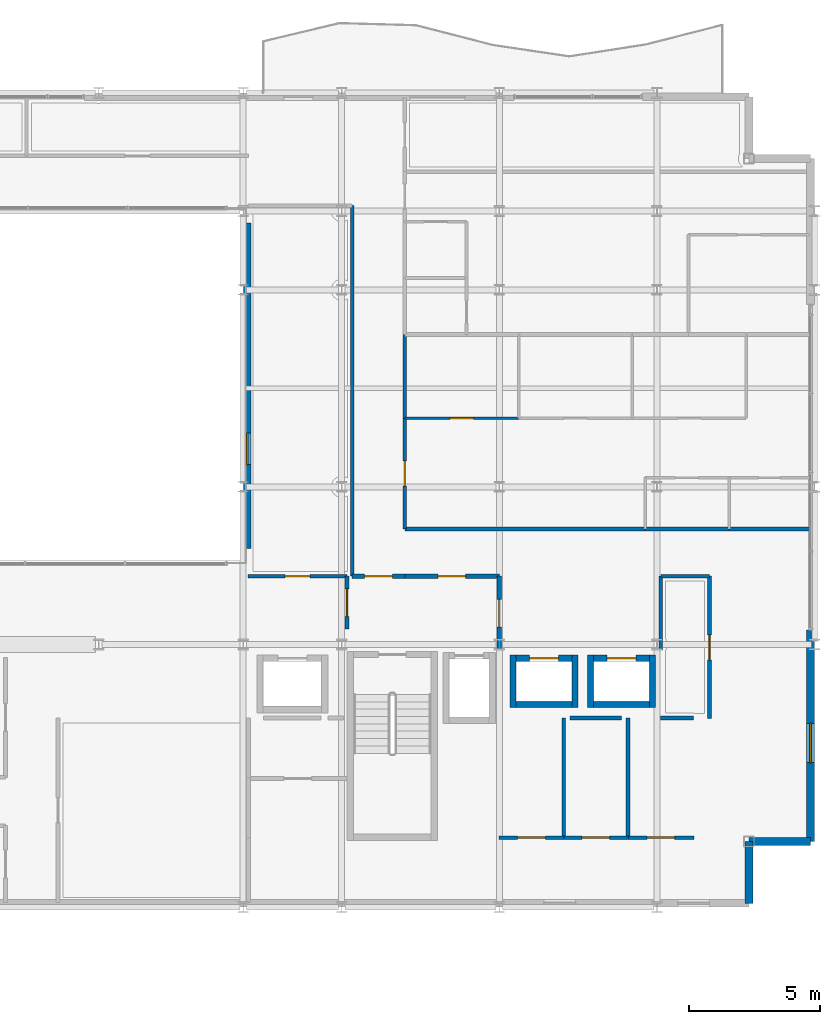
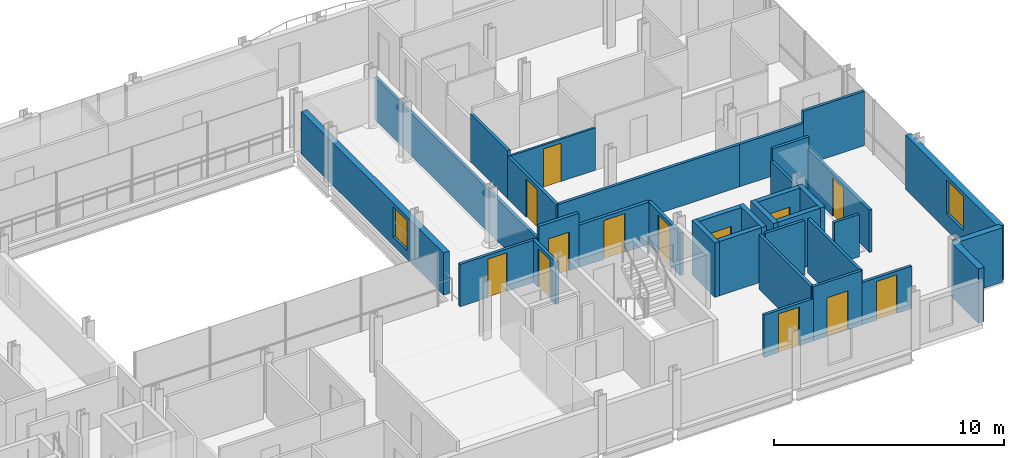
# One storey, part 36 of 41: 34 walls, 13 doors, 2 windows, 15 openings.
"""IFC4 building model written with IfcOpenShell, lengths in metres."""

import ifcopenshell
import ifcopenshell.guid

model = None  # the IFC model being written
_history = None  # IfcOwnerHistory: only IFC2X3 demands one
_inside = {}  # id of a spatial element -> (the spatial element, [elements in it])
_under = {}  # id of a project, library or spatial element -> (it, [spatial elements below it])
_declared = {}  # id of a project -> (the project, [libraries it declares])
_typed = {}  # id of a type object -> (the type object, [elements of that type])
_made_of = {}  # id of a material, layer set ... -> (it, [elements and type objects made of it])


def new_model(schema):
    """Start an empty IFC model of exactly this schema.

    Asked for "IFC4X3", IfcOpenShell would pick the latest addendum, in which some entities
    have other attributes; the version numbers below select the first issue.
    IFC2X3 requires an IfcOwnerHistory on every rooted entity: one is made here for all.
    """
    global model, _history
    if schema == "IFC4X3":
        model = ifcopenshell.file(schema_version=(4, 3, 0, 0))
    else:
        model = ifcopenshell.file(schema=schema)
    _inside.clear()
    _under.clear()
    _declared.clear()
    _typed.clear()
    _made_of.clear()
    _history = None
    if model.schema == "IFC2X3":
        org = make("IfcOrganization", Name="unknown")
        user = make(
            "IfcPersonAndOrganization",
            ThePerson=make("IfcPerson", FamilyName="unknown"),
            TheOrganization=org,
        )
        app = make(
            "IfcApplication",
            ApplicationDeveloper=org,
            Version="unknown",
            ApplicationFullName="unknown",
            ApplicationIdentifier="unknown",
        )
        _history = make(
            "IfcOwnerHistory",
            OwningUser=user,
            OwningApplication=app,
            ChangeAction="ADDED",
            CreationDate=0,
        )
    return model


def make(cls, **values):
    """One entity of the class cls with the attributes given. An attribute that is None is left unset."""
    return model.create_entity(
        cls, **{name: value for name, value in values.items() if value is not None}
    )


def rooted(cls, **values):
    """An entity with a GlobalId (a new one), such as an element, a storey or a relation."""
    return make(cls, GlobalId=ifcopenshell.guid.new(), OwnerHistory=_history, **values)


def si_unit(unit_type, name, prefix=None):
    """IfcSIUnit, for example si_unit("LENGTHUNIT", "METRE", prefix="MILLI")."""
    return make("IfcSIUnit", UnitType=unit_type, Prefix=prefix, Name=name)


def assignment(units):
    """IfcUnitAssignment: the units of a project."""
    return None if units is None else make("IfcUnitAssignment", Units=units)


def point(xyz):
    """IfcCartesianPoint."""
    return None if xyz is None else make("IfcCartesianPoint", Coordinates=xyz)


def direction(xyz):
    """IfcDirection."""
    return None if xyz is None else make("IfcDirection", DirectionRatios=xyz)


def frame(location, z_axis=None, x_axis=None):
    """IfcAxis2Placement3D, a coordinate frame: its origin and axes. An axis left out is left unset."""
    return make(
        "IfcAxis2Placement3D",
        Location=point(location),
        Axis=direction(z_axis),
        RefDirection=direction(x_axis),
    )


def frame_2d(location, x_axis=None):
    """IfcAxis2Placement2D, a coordinate frame in the plane: its origin and x axis."""
    return make(
        "IfcAxis2Placement2D", Location=point(location), RefDirection=direction(x_axis)
    )


def origin():
    """The frame at (0, 0, 0) with its axes left unset."""
    return frame((0.0, 0.0, 0.0))


def place(relative_to, where):
    """IfcLocalPlacement: puts the frame where relative to a parent placement (None: the world)."""
    return make(
        "IfcLocalPlacement", PlacementRelTo=relative_to, RelativePlacement=where
    )


def context(
    kind, dimensions, precision=None, world=None, true_north=None, identifier=None
):
    """IfcGeometricRepresentationContext, for example the 3D "Model" context."""
    return make(
        "IfcGeometricRepresentationContext",
        ContextIdentifier=identifier,
        ContextType=kind,
        CoordinateSpaceDimension=dimensions,
        Precision=precision,
        WorldCoordinateSystem=world,
        TrueNorth=true_north,
    )


def subcontext(parent, identifier, kind, view, scale=None):
    """IfcGeometricRepresentationSubContext, for example "Body" below "Model"."""
    return make(
        "IfcGeometricRepresentationSubContext",
        ContextIdentifier=identifier,
        ContextType=kind,
        ParentContext=parent,
        TargetScale=scale,
        TargetView=view,
    )


def project(units=None, contexts=None):
    """IfcProject with its units and contexts."""
    return rooted(
        "IfcProject",
        Name="project",
        RepresentationContexts=contexts,
        UnitsInContext=assignment(units),
    )


def spatial(cls, under=None, at=None, **own):
    """A site, building, storey or space (cls), placed at a placement, below another one or the project."""
    s = rooted(cls, ObjectPlacement=at, **own)
    if under is not None:
        _under.setdefault(under.id(), (under, []))[1].append(s)
    return s


def profile(cls, at=None, kind="AREA", **sizes):
    """A parametric profile (cls). Its sizes go by their IFC names, for example OverallWidth=200.0."""
    return make(cls, ProfileType=kind, Position=at, **sizes)


def rectangle(**sizes):
    """IfcRectangleProfileDef."""
    return profile("IfcRectangleProfileDef", **sizes)


def extrude(swept, where, along, depth):
    """IfcExtrudedAreaSolid: the profile swept, set in the frame where, extruded along a direction by depth."""
    return make(
        "IfcExtrudedAreaSolid",
        SweptArea=swept,
        Position=where,
        ExtrudedDirection=direction(along),
        Depth=depth,
    )


def shape(context_of_items, identifier, shape_type, items):
    """IfcShapeRepresentation: the items that make up one representation, for example the "Body"."""
    return make(
        "IfcShapeRepresentation",
        ContextOfItems=context_of_items,
        RepresentationIdentifier=identifier,
        RepresentationType=shape_type,
        Items=items,
    )


def material(Name=None, Category=None):
    """IfcMaterial."""
    return make("IfcMaterial", Name=Name, Category=Category)


def layer(
    of_material, thickness, ventilated=None, Name=None, Category=None, Priority=None
):
    """IfcMaterialLayer: one layer of a wall or slab, of a material (None: an air gap)."""
    return make(
        "IfcMaterialLayer",
        Material=of_material,
        LayerThickness=thickness,
        IsVentilated=ventilated,
        Name=Name,
        Category=Category,
        Priority=Priority,
    )


def layer_set(layers, Name=None):
    """IfcMaterialLayerSet."""
    return make("IfcMaterialLayerSet", MaterialLayers=layers, LayerSetName=Name)


def made_of(thing, what):
    """Note that an element or type object is made of a material, layer set ...; save() writes the relation."""
    if what is not None:
        _made_of.setdefault(what.id(), (what, []))[1].append(thing)
    return thing


def type_object(cls, material=None, **own):
    """A type object (cls), such as IfcWallType, which elements share."""
    return made_of(rooted(cls, **own), material)


def element(
    cls,
    number,
    at=None,
    inside=None,
    cuts=None,
    type_object=None,
    material=None,
    context=None,
    identifier="Body",
    shape_type=None,
    held_by="IfcProductDefinitionShape",
    body=None,
    shapes=None,
    **own,
):
    """One element of the class cls, such as IfcWall. Its Tag is "e" and its number.

    at: its placement. inside: the storey or other place that contains it. cuts: it is an
    opening in that element (IfcRelVoidsElement). A single representation is given by context,
    identifier, shape_type and body (its items); several are given by shapes. held_by: the class
    of the entity that holds the representations. save() writes the other relations.
    """
    e = rooted(cls, Tag="e%d" % number, ObjectPlacement=at, **own)
    if body is not None:
        shapes = [shape(context, identifier, shape_type, body)]
    if shapes is not None:
        e.Representation = make(held_by, Representations=shapes)
    if inside is not None:
        _inside.setdefault(inside.id(), (inside, []))[1].append(e)
    if cuts is not None:
        rooted(
            "IfcRelVoidsElement", RelatingBuildingElement=cuts, RelatedOpeningElement=e
        )
    if type_object is not None:
        _typed.setdefault(type_object.id(), (type_object, []))[1].append(e)
    return made_of(e, material)


def fill(opening, filler):
    """IfcRelFillsElement: the door or window that sits in an opening."""
    return rooted(
        "IfcRelFillsElement",
        RelatingOpeningElement=opening,
        RelatedBuildingElement=filler,
    )


def aggregate(whole, parts):
    """IfcRelAggregates: a whole, such as a stair, and the parts it consists of."""
    return rooted("IfcRelAggregates", RelatingObject=whole, RelatedObjects=parts)


def save(model, path):
    """Write the relations noted so far, then the file.

    IfcRelAggregates (storeys below a building ...), IfcRelContainedInSpatialStructure (elements
    in a storey), IfcRelDefinesByType, IfcRelAssociatesMaterial and IfcRelDeclares: one each for
    every whole, place, type object, material and project.
    """
    for whole, parts in _under.values():
        aggregate(whole, parts)
    for where, things in _inside.values():
        rooted(
            "IfcRelContainedInSpatialStructure",
            RelatedElements=things,
            RelatingStructure=where,
        )
    for kind, things in _typed.values():
        rooted("IfcRelDefinesByType", RelatedObjects=things, RelatingType=kind)
    for what, things in _made_of.values():
        rooted("IfcRelAssociatesMaterial", RelatedObjects=things, RelatingMaterial=what)
    for by, libraries in _declared.values():
        rooted("IfcRelDeclares", RelatingContext=by, RelatedDefinitions=libraries)
    model.write(path)


model = new_model("IFC4")

# Units and contexts
model_context = context("Model", 3, precision=1e-05, world=origin(), true_north=direction((0.0, 1.0)))
body_context = subcontext(model_context, "Body", "Model", "MODEL_VIEW")
ifc_project = project(units=[si_unit("LENGTHUNIT", "METRE"), si_unit("AREAUNIT", "SQUARE_METRE"), si_unit("VOLUMEUNIT", "CUBIC_METRE"), si_unit("PLANEANGLEUNIT", "RADIAN"), si_unit("MASSUNIT", "GRAM", prefix="KILO")], contexts=[model_context])

# Site, building, storey
site_placement = place(None, origin())
site = spatial("IfcSite", under=ifc_project, at=site_placement, CompositionType="ELEMENT")
building_placement = place(site_placement, origin())
building = spatial("IfcBuilding", under=site, at=building_placement, Name="Brevholm Reach", CompositionType="ELEMENT")
storey_placement = place(building_placement, frame((0.0, 0.0, 169.699951171875)))
storey = spatial("IfcBuildingStorey", under=building, at=storey_placement, Name="L51", CompositionType="ELEMENT", Elevation=169.699951171875)

# Walls
ifc_material_1 = material(Name="Concrete C45/55", Category="concrete")
ifc_layer_1 = layer(ifc_material_1, 0.239990234375)
ifc_layer_set_1 = layer_set([ifc_layer_1], Name="Concrete C45/55")
wall_type_1 = type_object("IfcWallType", Name="WAL-COR-240", PredefinedType="SHEAR", material=ifc_layer_set_1)
for number, where, z_axis, x_axis, name in (
    (1, (48.52001953125, 7.60009765625, 0.0), (0.0, 0.0, 1.0), (0.0, 1.0, 0.0), "L51 Lift PL-H1 Shaft Wall W"),
    (2, (50.8798828125, 7.60009765625, 0.0), (0.0, 0.0, 1.0), (0.0, 1.0, 0.0), "L51 Lift PL-H1 Shaft Wall E"),
):
    element("IfcWall", number, at=place(storey_placement, frame(where, z_axis=z_axis, x_axis=x_axis)), inside=storey, type_object=wall_type_1, Name=name, PredefinedType="SHEAR", context=body_context, shape_type="SweptSolid", body=[
        extrude(rectangle(XDim=2.0, YDim=0.239990234375, at=frame_2d((1.0, 0.0))), origin(), (0.0, 0.0, 1.0), 2.89013671875),
    ])
wall_1_placement = place(storey_placement, frame((48.639892578125, 7.719970703125, 0.0), z_axis=(0.0, 0.0, 1.0), x_axis=(1.0, 0.0, 0.0)))
element("IfcWall", 3, at=wall_1_placement, inside=storey, type_object=wall_type_1, Name="L51 Lift PL-H1 Shaft Wall S", PredefinedType="SHEAR", context=body_context, shape_type="SweptSolid", body=[
    extrude(rectangle(XDim=2.1201171875, YDim=0.239990234375, at=frame_2d((1.06005859375, 0.0))), origin(), (0.0, 0.0, 1.0), 2.89013671875),
])

# Wall, opening, door
wall_2_placement = place(storey_placement, frame((48.639892578125, 9.47998046875, 0.0), z_axis=(0.0, 0.0, 1.0), x_axis=(1.0, 0.0, 0.0)))
wall_2 = element("IfcWall", 4, at=wall_2_placement, inside=storey, type_object=wall_type_1, Name="L51 Lift PL-H1 Shaft Wall N", PredefinedType="SHEAR", context=body_context, shape_type="SweptSolid", body=[
    extrude(rectangle(XDim=2.1201171875, YDim=0.239990234375, at=frame_2d((1.06005859375, 0.0))), origin(), (0.0, 0.0, 1.0), 2.89013671875),
])
opening_1_placement = place(wall_2_placement, frame((0.510009765625, 0.0, 0.0)))
opening_1 = element("IfcOpeningElement", 5, at=opening_1_placement, cuts=wall_2, Name="Opening LD-PL-H1", PredefinedType="OPENING", context=body_context, shape_type="SweptSolid", body=[
    extrude(rectangle(XDim=1.10009765625, YDim=2.06005859375, at=frame_2d((0.550048828125, 1.030029296875))), frame((0.0, 0.1298828125, 0.0), z_axis=(0.0, -1.0, 0.0), x_axis=(1.0, 0.0, 0.0)), (0.0, 0.0, 1.0), 0.260009765625),
])
ifc_material_2 = material(Name="Brushed Stainless Steel Fire-Rated Sliding Lift Door", Category="steel")
door_type_1 = type_object("IfcDoorType", Name="DOR-LFT-1100", OperationType="NOTDEFINED", PredefinedType="DOOR", material=ifc_material_2)
door_1_placement = place(opening_1_placement, origin())
door_1 = element("IfcDoor", 6, at=door_1_placement, inside=storey, type_object=door_type_1, Name="L51 Lift PL-H1 Sliding Landing Door", OperationType="SLIDING_TO_RIGHT", OverallHeight=2.06005859375, OverallWidth=1.10009765625, PredefinedType="DOOR", context=body_context, shape_type="SweptSolid", body=[
    extrude(rectangle(XDim=1.10009765625, YDim=2.06005859375, at=frame_2d((0.550048828125, 1.030029296875))), frame((0.0, 0.02490234375, 0.0), z_axis=(0.0, -1.0, 0.0), x_axis=(1.0, 0.0, 0.0)), (0.0, 0.0, 1.0), 0.050048828125),
])
fill(opening_1, door_1)

# Walls
for number, where, z_axis, x_axis, name in (
    (7, (51.469970703125, 7.60009765625, 0.0), (0.0, 0.0, 1.0), (0.0, 1.0, 0.0), "L51 Lift PL-H2 Shaft Wall W"),
    (8, (53.830078125, 7.60009765625, 0.0), (0.0, 0.0, 1.0), (0.0, 1.0, 0.0), "L51 Lift PL-H2 Shaft Wall E"),
):
    element("IfcWall", number, at=place(storey_placement, frame(where, z_axis=z_axis, x_axis=x_axis)), inside=storey, type_object=wall_type_1, Name=name, PredefinedType="SHEAR", context=body_context, shape_type="SweptSolid", body=[
        extrude(rectangle(XDim=2.0, YDim=0.239990234375, at=frame_2d((1.0, 0.0))), origin(), (0.0, 0.0, 1.0), 2.89013671875),
    ])
wall_3_placement = place(storey_placement, frame((51.590087890625, 7.719970703125, 0.0), z_axis=(0.0, 0.0, 1.0), x_axis=(1.0, 0.0, 0.0)))
element("IfcWall", 9, at=wall_3_placement, inside=storey, type_object=wall_type_1, Name="L51 Lift PL-H2 Shaft Wall S", PredefinedType="SHEAR", context=body_context, shape_type="SweptSolid", body=[
    extrude(rectangle(XDim=2.119873046875, YDim=0.239990234375, at=frame_2d((1.06005859375, 0.0))), origin(), (0.0, 0.0, 1.0), 2.89013671875),
])

# Wall, opening, door
wall_4_placement = place(storey_placement, frame((51.590087890625, 9.47998046875, 0.0), z_axis=(0.0, 0.0, 1.0), x_axis=(1.0, 0.0, 0.0)))
wall_4 = element("IfcWall", 10, at=wall_4_placement, inside=storey, type_object=wall_type_1, Name="L51 Lift PL-H2 Shaft Wall N", PredefinedType="SHEAR", context=body_context, shape_type="SweptSolid", body=[
    extrude(rectangle(XDim=2.119873046875, YDim=0.239990234375, at=frame_2d((1.06005859375, 0.0))), origin(), (0.0, 0.0, 1.0), 2.89013671875),
])
opening_2_placement = place(wall_4_placement, frame((0.510009765625, 0.0, 0.0)))
opening_2 = element("IfcOpeningElement", 11, at=opening_2_placement, cuts=wall_4, Name="Opening LD-PL-H2", PredefinedType="OPENING", context=body_context, shape_type="SweptSolid", body=[
    extrude(rectangle(XDim=1.10009765625, YDim=2.06005859375, at=frame_2d((0.550048828125, 1.030029296875))), frame((0.0, 0.1298828125, 0.0), z_axis=(0.0, -1.0, 0.0), x_axis=(1.0, 0.0, 0.0)), (0.0, 0.0, 1.0), 0.260009765625),
])
door_2_placement = place(opening_2_placement, origin())
door_2 = element("IfcDoor", 12, at=door_2_placement, inside=storey, type_object=door_type_1, Name="L51 Lift PL-H2 Sliding Landing Door", OperationType="SLIDING_TO_LEFT", OverallHeight=2.06005859375, OverallWidth=1.10009765625, PredefinedType="DOOR", context=body_context, shape_type="SweptSolid", body=[
    extrude(rectangle(XDim=1.10009765625, YDim=2.06005859375, at=frame_2d((0.550048828125, 1.030029296875))), frame((0.0, 0.02490234375, 0.0), z_axis=(0.0, -1.0, 0.0), x_axis=(1.0, 0.0, 0.0)), (0.0, 0.0, 1.0), 0.050048828125),
])
fill(opening_2, door_2)

# Walls
ifc_material_3 = material(Name="Concrete C40/50", Category="concrete")
ifc_layer_2 = layer(ifc_material_3, 0.300048828125)
ifc_layer_set_2 = layer_set([ifc_layer_2], Name="Concrete C40/50")
wall_type_2 = type_object("IfcWallType", Name="WAL-EXT-300", PredefinedType="STANDARD", material=ifc_layer_set_2)
for number, where, z_axis, x_axis, name in (
    (13, (57.5, 0.14990234375, 0.0), (0.0, 0.0, 1.0), (0.0, 1.0, 0.0), "L51 Facade Wall WAL-L51-CSE1"),
    (14, (57.5, 2.5, 0.0), (0.0, 0.0, 1.0), (1.0, 0.0, 0.0), "L51 Facade Wall WAL-L51-CSE2"),
):
    element("IfcWall", number, at=place(storey_placement, frame(where, z_axis=z_axis, x_axis=x_axis)), inside=storey, type_object=wall_type_2, Name=name, PredefinedType="STANDARD", context=body_context, shape_type="SweptSolid", body=[
        extrude(rectangle(XDim=2.35009765625, YDim=0.300048828125, at=frame_2d((1.175048828125, 0.0))), origin(), (0.0, 0.0, 1.0), 2.89013671875),
    ])

# Wall, opening, window
wall_5_placement = place(storey_placement, frame((59.85009765625, 2.5, 0.0), z_axis=(0.0, 0.0, 1.0), x_axis=(0.0, 1.0, 0.0)))
wall_5 = element("IfcWall", 15, at=wall_5_placement, inside=storey, type_object=wall_type_2, Name="L51 Facade Wall WAL-L51-E-S", PredefinedType="STANDARD", context=body_context, shape_type="SweptSolid", body=[
    extrude(rectangle(XDim=8.050048828125, YDim=0.300048828125, at=frame_2d((4.02490234375, 0.0))), origin(), (0.0, 0.0, 1.0), 2.89013671875),
])
opening_3_placement = place(wall_5_placement, frame((3.0, 0.0, 0.8701171875)))
opening_3 = element("IfcOpeningElement", 16, at=opening_3_placement, cuts=wall_5, Name="Opening WN-05", PredefinedType="OPENING", context=body_context, shape_type="SweptSolid", body=[
    extrude(rectangle(XDim=1.5, YDim=1.800048828125, at=frame_2d((0.75, 0.89990234375))), frame((0.0, 0.159912109375, 0.0), z_axis=(0.0, -1.0, 0.0), x_axis=(1.0, 0.0, 0.0)), (0.0, 0.0, 1.0), 0.320068359375),
])
ifc_material_4 = material(Name="Dark Anodised Aluminium and Solar-Control IGU Glass", Category="aluminium")
window_type_1 = type_object("IfcWindowType", Name="WIN-RES-1500", PartitioningType="SINGLE_PANEL", PredefinedType="WINDOW", material=ifc_material_4)
window_1_placement = place(opening_3_placement, origin())
window_1 = element("IfcWindow", 17, at=window_1_placement, inside=storey, type_object=window_type_1, Name="L51 Window WIN-L51-ES-1", OverallHeight=1.800048828125, OverallWidth=1.5, PartitioningType="SINGLE_PANEL", PredefinedType="WINDOW", context=body_context, shape_type="SweptSolid", body=[
    extrude(rectangle(XDim=1.5, YDim=1.800048828125, at=frame_2d((0.75, 0.89990234375))), frame((0.0, 0.030029296875, 0.0), z_axis=(0.0, -1.0, 0.0), x_axis=(1.0, 0.0, 0.0)), (0.0, 0.0, 1.0), 0.06005859375),
])
fill(opening_3, window_1)

wall_6_placement = place(storey_placement, frame((38.39990234375, 13.64990234375, 0.0), z_axis=(0.0, 0.0, 1.0), x_axis=(0.0, 1.0, 0.0)))
wall_6 = element("IfcWall", 18, at=wall_6_placement, inside=storey, type_object=wall_type_2, Name="L51 Facade Wall WAL-L51-AT-E", PredefinedType="STANDARD", context=body_context, shape_type="SweptSolid", body=[
    extrude(rectangle(XDim=12.400146484375, YDim=0.300048828125, at=frame_2d((6.2001953125, 0.0))), origin(), (0.0, 0.0, 1.0), 2.2529296875),
])
opening_4_placement = place(wall_6_placement, frame((3.199951171875, 0.0, 0.43310546875)))
opening_4 = element("IfcOpeningElement", 19, at=opening_4_placement, cuts=wall_6, Name="Opening WN-08", PredefinedType="OPENING", context=body_context, shape_type="SweptSolid", body=[
    extrude(rectangle(XDim=1.199951171875, YDim=1.60009765625, at=frame_2d((0.60009765625, 0.800048828125))), frame((0.0, 0.159912109375, 0.0), z_axis=(0.0, -1.0, 0.0), x_axis=(1.0, 0.0, 0.0)), (0.0, 0.0, 1.0), 0.320068359375),
])
ifc_material_5 = material(Name="Dark Anodised Aluminium and Solar-Control IGU Glass", Category="aluminium")
window_type_2 = type_object("IfcWindowType", Name="WIN-RES-1200", PartitioningType="SINGLE_PANEL", PredefinedType="WINDOW", material=ifc_material_5)
window_2_placement = place(opening_4_placement, origin())
window_2 = element("IfcWindow", 20, at=window_2_placement, inside=storey, type_object=window_type_2, Name="L51 Window WIN-L51-AT-E1", OverallHeight=1.60009765625, OverallWidth=1.199951171875, PartitioningType="SINGLE_PANEL", PredefinedType="WINDOW", context=body_context, shape_type="SweptSolid", body=[
    extrude(rectangle(XDim=1.199951171875, YDim=1.60009765625, at=frame_2d((0.60009765625, 0.800048828125))), frame((0.0, 0.030029296875, 0.0), z_axis=(0.0, -1.0, 0.0), x_axis=(1.0, 0.0, 0.0)), (0.0, 0.0, 1.0), 0.06005859375),
])
fill(opening_4, window_2)

# Wall, opening, door
ifc_material_6 = material(Name="Moisture-Resistant Acoustic Gypsum Stud Partition 100 mm", Category="gypsum")
ifc_layer_3 = layer(ifc_material_6, 0.10009765625)
ifc_layer_set_3 = layer_set([ifc_layer_3], Name="Moisture-Resistant Acoustic Gypsum Stud Partition 100 mm")
wall_type_3 = type_object("IfcWallType", Name="WAL-PRT-100", PredefinedType="PARTITIONING", material=ifc_layer_set_3)
wall_7_placement = place(storey_placement, frame((44.404052734375, 18.617919921875, 0.0), z_axis=(0.0, 0.0, 1.0), x_axis=(1.0, 0.0, 0.0)))
wall_7 = element("IfcWall", 21, at=wall_7_placement, inside=storey, type_object=wall_type_3, Name="L51 Internal Partition 099", PredefinedType="PARTITIONING", context=body_context, shape_type="SweptSolid", body=[
    extrude(rectangle(XDim=4.328857421875, YDim=0.10009765625, at=frame_2d((2.16455078125, 0.0))), origin(), (0.0, 0.0, 1.0), 2.2529296875),
])
opening_5_placement = place(wall_7_placement, frame((1.724609375, 0.0, 0.0)))
opening_5 = element("IfcOpeningElement", 22, at=opening_5_placement, cuts=wall_7, Name="Opening ID-01", PredefinedType="OPENING", context=body_context, shape_type="SweptSolid", body=[
    extrude(rectangle(XDim=0.8798828125, YDim=2.0400390625, at=frame_2d((0.43994140625, 1.02001953125))), frame((0.0, 0.06005859375, 0.0), z_axis=(0.0, -1.0, 0.0), x_axis=(1.0, 0.0, 0.0)), (0.0, 0.0, 1.0), 0.1201171875),
])
ifc_material_7 = material(Name="Lacquered Ash Solid-Core Acoustic Internal Door", Category="timber")
door_type_2 = type_object("IfcDoorType", Name="DOR-INT-880", OperationType="NOTDEFINED", PredefinedType="DOOR", material=ifc_material_7)
door_3_placement = place(opening_5_placement, origin())
door_3 = element("IfcDoor", 23, at=door_3_placement, inside=storey, type_object=door_type_2, Name="L51 Internal Door 043", OperationType="SINGLE_SWING_RIGHT", OverallHeight=2.0400390625, OverallWidth=0.8798828125, PredefinedType="DOOR", context=body_context, shape_type="SweptSolid", body=[
    extrude(rectangle(XDim=0.8798828125, YDim=2.0400390625, at=frame_2d((0.43994140625, 1.02001953125))), frame((0.0, 0.02490234375, 0.0), z_axis=(0.0, -1.0, 0.0), x_axis=(1.0, 0.0, 0.0)), (0.0, 0.0, 1.0), 0.050048828125),
])
fill(opening_5, door_3)

ifc_material_8 = material(Name="Twin-Stud Acoustic Fire-Rated Gypsum Partition 140 mm", Category="gypsum")
ifc_layer_4 = layer(ifc_material_8, 0.139892578125)
ifc_layer_set_4 = layer_set([ifc_layer_4], Name="Twin-Stud Acoustic Fire-Rated Gypsum Partition 140 mm")
wall_type_4 = type_object("IfcWallType", Name="WAL-PRT-140", PredefinedType="PARTITIONING", material=ifc_layer_set_4)
wall_8_placement = place(storey_placement, frame((56.0, 7.188720703125, 0.0), z_axis=(0.0, 0.0, 1.0), x_axis=(0.0, 1.0, 0.0)))
wall_8 = element("IfcWall", 24, at=wall_8_placement, inside=storey, type_object=wall_type_4, Name="L51 Internal Partition 016", PredefinedType="PARTITIONING", context=body_context, shape_type="SweptSolid", body=[
    extrude(rectangle(XDim=5.411376953125, YDim=0.139892578125, at=frame_2d((2.70556640625, 0.0))), origin(), (0.0, 0.0, 1.0), 2.2529296875),
])
opening_6_placement = place(wall_8_placement, frame((2.230712890625, 0.0, 0.0)))
opening_6 = element("IfcOpeningElement", 25, at=opening_6_placement, cuts=wall_8, Name="Opening ID-30", PredefinedType="OPENING", context=body_context, shape_type="SweptSolid", body=[
    extrude(rectangle(XDim=0.949951171875, YDim=2.050048828125, at=frame_2d((0.47509765625, 1.02490234375))), frame((0.0, 0.079833984375, 0.0), z_axis=(0.0, -1.0, 0.0), x_axis=(1.0, 0.0, 0.0)), (0.0, 0.0, 1.0), 0.159912109375),
])
ifc_material_9 = material(Name="European Oak Veneered Solid-Core Fire Entrance Door", Category="timber")
door_type_3 = type_object("IfcDoorType", Name="DOR-FLT-FD30S", OperationType="NOTDEFINED", PredefinedType="DOOR", material=ifc_material_9)
door_4_placement = place(opening_6_placement, origin())
door_4 = element("IfcDoor", 26, at=door_4_placement, inside=storey, type_object=door_type_3, Name="L51 Internal Door 007", OperationType="SINGLE_SWING_RIGHT", OverallHeight=2.050048828125, OverallWidth=0.949951171875, PredefinedType="DOOR", context=body_context, shape_type="SweptSolid", body=[
    extrude(rectangle(XDim=0.949951171875, YDim=2.050048828125, at=frame_2d((0.47509765625, 1.02490234375))), frame((0.0, 0.02490234375, 0.0), z_axis=(0.0, -1.0, 0.0), x_axis=(1.0, 0.0, 0.0)), (0.0, 0.0, 1.0), 0.050048828125),
])
fill(opening_6, door_4)

wall_9_placement = place(storey_placement, frame((47.98876953125, 2.64990234375, 0.0), z_axis=(0.0, 0.0, 1.0), x_axis=(1.0, 0.0, 0.0)))
wall_9 = element("IfcWall", 27, at=wall_9_placement, inside=storey, type_object=wall_type_4, Name="L51 Internal Partition 017", PredefinedType="PARTITIONING", context=body_context, shape_type="SweptSolid", body=[
    extrude(rectangle(XDim=2.472412109375, YDim=0.139892578125, at=frame_2d((1.236328125, 0.0))), origin(), (0.0, 0.0, 1.0), 2.2529296875),
])
opening_7_placement = place(wall_9_placement, frame((0.711181640625, 0.0, 0.0)))
opening_7 = element("IfcOpeningElement", 28, at=opening_7_placement, cuts=wall_9, Name="Opening FD-01", PredefinedType="OPENING", context=body_context, shape_type="SweptSolid", body=[
    extrude(rectangle(XDim=1.050048828125, YDim=2.06005859375, at=frame_2d((0.52490234375, 1.030029296875))), frame((0.0, 0.079833984375, 0.0), z_axis=(0.0, -1.0, 0.0), x_axis=(1.0, 0.0, 0.0)), (0.0, 0.0, 1.0), 0.159912109375),
])
ifc_material_10 = material(Name="Hardwood-Lipped Steel-Core Fire and Smoke Door", Category="steel")
door_type_4 = type_object("IfcDoorType", Name="DOR-INT-FD60S", OperationType="NOTDEFINED", PredefinedType="DOOR", material=ifc_material_10)
door_5_placement = place(opening_7_placement, origin())
door_5 = element("IfcDoor", 29, at=door_5_placement, inside=storey, type_object=door_type_4, Name="L51 Internal Door 008", OperationType="SINGLE_SWING_LEFT", OverallHeight=2.06005859375, OverallWidth=1.050048828125, PredefinedType="DOOR", context=body_context, shape_type="SweptSolid", body=[
    extrude(rectangle(XDim=1.050048828125, YDim=2.06005859375, at=frame_2d((0.52490234375, 1.030029296875))), frame((0.0, 0.02490234375, 0.0), z_axis=(0.0, -1.0, 0.0), x_axis=(1.0, 0.0, 0.0)), (0.0, 0.0, 1.0), 0.050048828125),
])
fill(opening_7, door_5)

wall_10_placement = place(storey_placement, frame((50.442626953125, 2.64990234375, 0.0), z_axis=(0.0, 0.0, 1.0), x_axis=(1.0, 0.0, 0.0)))
wall_10 = element("IfcWall", 30, at=wall_10_placement, inside=storey, type_object=wall_type_4, Name="L51 Internal Partition 018", PredefinedType="PARTITIONING", context=body_context, shape_type="SweptSolid", body=[
    extrude(rectangle(XDim=2.46875, YDim=0.139892578125, at=frame_2d((1.234375, 0.0))), origin(), (0.0, 0.0, 1.0), 2.89013671875),
])
opening_8_placement = place(wall_10_placement, frame((0.709228515625, 0.0, 0.0)))
opening_8 = element("IfcOpeningElement", 31, at=opening_8_placement, cuts=wall_10, Name="Opening FD-01", PredefinedType="OPENING", context=body_context, shape_type="SweptSolid", body=[
    extrude(rectangle(XDim=1.050048828125, YDim=2.06005859375, at=frame_2d((0.52490234375, 1.030029296875))), frame((0.0, 0.079833984375, 0.0), z_axis=(0.0, -1.0, 0.0), x_axis=(1.0, 0.0, 0.0)), (0.0, 0.0, 1.0), 0.159912109375),
])
door_6_placement = place(opening_8_placement, origin())
door_6 = element("IfcDoor", 32, at=door_6_placement, inside=storey, type_object=door_type_4, Name="L51 Internal Door 009", OperationType="SINGLE_SWING_RIGHT", OverallHeight=2.06005859375, OverallWidth=1.050048828125, PredefinedType="DOOR", context=body_context, shape_type="SweptSolid", body=[
    extrude(rectangle(XDim=1.050048828125, YDim=2.06005859375, at=frame_2d((0.52490234375, 1.030029296875))), frame((0.0, 0.02490234375, 0.0), z_axis=(0.0, -1.0, 0.0), x_axis=(1.0, 0.0, 0.0)), (0.0, 0.0, 1.0), 0.050048828125),
])
fill(opening_8, door_6)

wall_11_placement = place(storey_placement, frame((52.892578125, 2.64990234375, 0.0), z_axis=(0.0, 0.0, 1.0), x_axis=(1.0, 0.0, 0.0)))
wall_11 = element("IfcWall", 33, at=wall_11_placement, inside=storey, type_object=wall_type_4, Name="L51 Internal Partition 019", PredefinedType="PARTITIONING", context=body_context, shape_type="SweptSolid", body=[
    extrude(rectangle(XDim=2.518798828125, YDim=0.139892578125, at=frame_2d((1.25927734375, 0.0))), origin(), (0.0, 0.0, 1.0), 2.2529296875),
])
opening_9_placement = place(wall_11_placement, frame((0.734375, 0.0, 0.0)))
opening_9 = element("IfcOpeningElement", 34, at=opening_9_placement, cuts=wall_11, Name="Opening FD-01", PredefinedType="OPENING", context=body_context, shape_type="SweptSolid", body=[
    extrude(rectangle(XDim=1.050048828125, YDim=2.06005859375, at=frame_2d((0.52490234375, 1.030029296875))), frame((0.0, 0.079833984375, 0.0), z_axis=(0.0, -1.0, 0.0), x_axis=(1.0, 0.0, 0.0)), (0.0, 0.0, 1.0), 0.159912109375),
])
door_7_placement = place(opening_9_placement, origin())
door_7 = element("IfcDoor", 35, at=door_7_placement, inside=storey, type_object=door_type_4, Name="L51 Internal Door 010", OperationType="SINGLE_SWING_LEFT", OverallHeight=2.06005859375, OverallWidth=1.050048828125, PredefinedType="DOOR", context=body_context, shape_type="SweptSolid", body=[
    extrude(rectangle(XDim=1.050048828125, YDim=2.06005859375, at=frame_2d((0.52490234375, 1.030029296875))), frame((0.0, 0.02490234375, 0.0), z_axis=(0.0, -1.0, 0.0), x_axis=(1.0, 0.0, 0.0)), (0.0, 0.0, 1.0), 0.050048828125),
])
fill(opening_9, door_7)

# Walls
for number, where, z_axis, x_axis, name in (
    (36, (50.449951171875, 2.654052734375, 0.0), (0.0, 0.0, 1.0), (0.0, 1.0, 0.0), "L51 Internal Partition 025"),
    (37, (52.89990234375, 2.654052734375, 0.0), (0.0, 0.0, 1.0), (0.0, 1.0, 0.0), "L51 Internal Partition 026"),
):
    element("IfcWall", number, at=place(storey_placement, frame(where, z_axis=z_axis, x_axis=x_axis)), inside=storey, type_object=wall_type_4, Name=name, PredefinedType="PARTITIONING", context=body_context, shape_type="SweptSolid", body=[
        extrude(rectangle(XDim=4.5458984375, YDim=0.139892578125, at=frame_2d((2.27294921875, 0.0))), origin(), (0.0, 0.0, 1.0), 2.89013671875),
    ])
wall_12_placement = place(storey_placement, frame((54.138671875, 7.199951171875, 0.0), z_axis=(0.0, 0.0, 1.0), x_axis=(1.0, 0.0, 0.0)))
element("IfcWall", 38, at=wall_12_placement, inside=storey, type_object=wall_type_4, Name="L51 Internal Partition 027", PredefinedType="PARTITIONING", context=body_context, shape_type="SweptSolid", body=[
    extrude(rectangle(XDim=1.26123046875, YDim=0.139892578125, at=frame_2d((0.630615234375, 0.0))), origin(), (0.0, 0.0, 1.0), 2.2529296875),
])
wall_13_placement = place(storey_placement, frame((54.14990234375, 9.800048828125, 0.0), z_axis=(0.0, 0.0, 1.0), x_axis=(0.0, 1.0, 0.0)))
element("IfcWall", 39, at=wall_13_placement, inside=storey, type_object=wall_type_4, Name="L51 Internal Partition 039", PredefinedType="PARTITIONING", context=body_context, shape_type="SweptSolid", body=[
    extrude(rectangle(XDim=2.800048828125, YDim=0.139892578125, at=frame_2d((1.39990234375, 0.0))), origin(), (0.0, 0.0, 1.0), 2.2529296875),
])
wall_14_placement = place(storey_placement, frame((54.154052734375, 12.60009765625, 0.0), z_axis=(0.0, 0.0, 1.0), x_axis=(1.0, 0.0, 0.0)))
element("IfcWall", 40, at=wall_14_placement, inside=storey, type_object=wall_type_4, Name="L51 Internal Partition 040", PredefinedType="PARTITIONING", context=body_context, shape_type="SweptSolid", body=[
    extrude(rectangle(XDim=1.842041015625, YDim=0.139892578125, at=frame_2d((0.9208984375, 0.0))), origin(), (0.0, 0.0, 1.0), 2.89013671875),
])

# Wall, opening, door
wall_15_placement = place(storey_placement, frame((38.438720703125, 12.60009765625, 0.0), z_axis=(0.0, 0.0, 1.0), x_axis=(1.0, 0.0, 0.0)))
wall_15 = element("IfcWall", 41, at=wall_15_placement, inside=storey, type_object=wall_type_4, Name="L51 Internal Partition 041", PredefinedType="PARTITIONING", context=body_context, shape_type="SweptSolid", body=[
    extrude(rectangle(XDim=3.75732421875, YDim=0.139892578125, at=frame_2d((1.878662109375, 0.0))), origin(), (0.0, 0.0, 1.0), 2.2529296875),
])
opening_10_placement = place(wall_15_placement, frame((1.40380859375, 0.0, 0.0)))
opening_10 = element("IfcOpeningElement", 42, at=opening_10_placement, cuts=wall_15, Name="Opening ID-30", PredefinedType="OPENING", context=body_context, shape_type="SweptSolid", body=[
    extrude(rectangle(XDim=0.949951171875, YDim=2.050048828125, at=frame_2d((0.47509765625, 1.02490234375))), frame((0.0, 0.079833984375, 0.0), z_axis=(0.0, -1.0, 0.0), x_axis=(1.0, 0.0, 0.0)), (0.0, 0.0, 1.0), 0.159912109375),
])
door_8_placement = place(opening_10_placement, origin())
door_8 = element("IfcDoor", 43, at=door_8_placement, inside=storey, type_object=door_type_3, Name="L51 Internal Door 020", OperationType="SINGLE_SWING_LEFT", OverallHeight=2.050048828125, OverallWidth=0.949951171875, PredefinedType="DOOR", context=body_context, shape_type="SweptSolid", body=[
    extrude(rectangle(XDim=0.949951171875, YDim=2.050048828125, at=frame_2d((0.47509765625, 1.02490234375))), frame((0.0, 0.02490234375, 0.0), z_axis=(0.0, -1.0, 0.0), x_axis=(1.0, 0.0, 0.0)), (0.0, 0.0, 1.0), 0.050048828125),
])
fill(opening_10, door_8)

# Wall
wall_16_placement = place(storey_placement, frame((44.39990234375, 18.606689453125, 0.0), z_axis=(0.0, 0.0, 1.0), x_axis=(0.0, 1.0, 0.0)))
element("IfcWall", 44, at=wall_16_placement, inside=storey, type_object=wall_type_4, Name="L51 Internal Partition 050", PredefinedType="PARTITIONING", context=body_context, shape_type="SweptSolid", body=[
    extrude(rectangle(XDim=3.20458984375, YDim=0.139892578125, at=frame_2d((1.602294921875, 0.0))), origin(), (0.0, 0.0, 1.0), 2.561767578125),
])

# Wall, opening, door
wall_17_placement = place(storey_placement, frame((44.39990234375, 14.392578125, 0.0), z_axis=(0.0, 0.0, 1.0), x_axis=(0.0, 1.0, 0.0)))
wall_17 = element("IfcWall", 45, at=wall_17_placement, inside=storey, type_object=wall_type_4, Name="L51 Internal Partition 051", PredefinedType="PARTITIONING", context=body_context, shape_type="SweptSolid", body=[
    extrude(rectangle(XDim=4.232666015625, YDim=0.139892578125, at=frame_2d((2.1162109375, 0.0))), origin(), (0.0, 0.0, 1.0), 2.2529296875),
])
opening_11_placement = place(wall_17_placement, frame((1.641357421875, 0.0, 0.0)))
opening_11 = element("IfcOpeningElement", 46, at=opening_11_placement, cuts=wall_17, Name="Opening ID-30", PredefinedType="OPENING", context=body_context, shape_type="SweptSolid", body=[
    extrude(rectangle(XDim=0.949951171875, YDim=2.050048828125, at=frame_2d((0.47509765625, 1.02490234375))), frame((0.0, 0.079833984375, 0.0), z_axis=(0.0, -1.0, 0.0), x_axis=(1.0, 0.0, 0.0)), (0.0, 0.0, 1.0), 0.159912109375),
])
door_9_placement = place(opening_11_placement, origin())
door_9 = element("IfcDoor", 47, at=door_9_placement, inside=storey, type_object=door_type_3, Name="L51 Internal Door 025", OperationType="SINGLE_SWING_RIGHT", OverallHeight=2.050048828125, OverallWidth=0.949951171875, PredefinedType="DOOR", context=body_context, shape_type="SweptSolid", body=[
    extrude(rectangle(XDim=0.949951171875, YDim=2.050048828125, at=frame_2d((0.47509765625, 1.02490234375))), frame((0.0, 0.02490234375, 0.0), z_axis=(0.0, -1.0, 0.0), x_axis=(1.0, 0.0, 0.0)), (0.0, 0.0, 1.0), 0.050048828125),
])
fill(opening_11, door_9)

# Walls
wall_18_placement = place(storey_placement, frame((42.39990234375, 12.60400390625, 0.0), z_axis=(0.0, 0.0, 1.0), x_axis=(0.0, 1.0, 0.0)))
element("IfcWall", 48, at=wall_18_placement, inside=storey, type_object=wall_type_4, Name="L51 Internal Partition 055", PredefinedType="PARTITIONING", context=body_context, shape_type="SweptSolid", body=[
    extrude(rectangle(XDim=14.103271484375, YDim=0.139892578125, at=frame_2d((7.0517578125, 0.0))), origin(), (0.0, 0.0, 1.0), 2.2529296875),
])
wall_19_placement = place(storey_placement, frame((56.73876953125, 14.39990234375, 0.0), z_axis=(0.0, 0.0, 1.0), x_axis=(1.0, 0.0, 0.0)))
element("IfcWall", 49, at=wall_19_placement, inside=storey, type_object=wall_type_4, Name="L51 Internal Partition 057", PredefinedType="PARTITIONING", context=body_context, shape_type="SweptSolid", body=[
    extrude(rectangle(XDim=3.072509765625, YDim=0.139892578125, at=frame_2d((1.5361328125, 0.0))), origin(), (0.0, 0.0, 1.0), 2.89013671875),
])
wall_20_placement = place(storey_placement, frame((53.538818359375, 14.39990234375, 0.0), z_axis=(0.0, 0.0, 1.0), x_axis=(1.0, 0.0, 0.0)))
element("IfcWall", 50, at=wall_20_placement, inside=storey, type_object=wall_type_4, Name="L51 Internal Partition 058", PredefinedType="PARTITIONING", context=body_context, shape_type="SweptSolid", body=[
    extrude(rectangle(XDim=3.218505859375, YDim=0.139892578125, at=frame_2d((1.609375, 0.0))), origin(), (0.0, 0.0, 1.0), 2.2529296875),
])
wall_21_placement = place(storey_placement, frame((44.404052734375, 14.39990234375, 0.0), z_axis=(0.0, 0.0, 1.0), x_axis=(1.0, 0.0, 0.0)))
element("IfcWall", 51, at=wall_21_placement, inside=storey, type_object=wall_type_4, Name="L51 Internal Partition 059", PredefinedType="PARTITIONING", context=body_context, shape_type="SweptSolid", body=[
    extrude(rectangle(XDim=9.1533203125, YDim=0.139892578125, at=frame_2d((4.57666015625, 0.0))), origin(), (0.0, 0.0, 1.0), 2.2529296875),
])
wall_22_placement = place(storey_placement, frame((50.68994140625, 7.199951171875, 0.0), z_axis=(0.0, 0.0, 1.0), x_axis=(1.0, 0.0, 0.0)))
element("IfcWall", 52, at=wall_22_placement, inside=storey, type_object=wall_type_4, Name="L51 Internal Partition 123", PredefinedType="PARTITIONING", context=body_context, shape_type="SweptSolid", body=[
    extrude(rectangle(XDim=1.969970703125, YDim=0.139892578125, at=frame_2d((0.98486328125, 0.0))), origin(), (0.0, 0.0, 1.0), 2.89013671875),
])

# Wall, opening, door
ifc_material_11 = material(Name="Twin-Frame Fire-Rated Gypsum Board and Mineral Wool 160 mm", Category="gypsum")
ifc_layer_5 = layer(ifc_material_11, 0.159912109375)
ifc_layer_set_5 = layer_set([ifc_layer_5], Name="Twin-Frame Fire-Rated Gypsum Board and Mineral Wool 160 mm")
wall_type_5 = type_object("IfcWallType", Name="WAL-PRT-160", PredefinedType="PARTITIONING", material=ifc_layer_set_5)
wall_23_placement = place(storey_placement, frame((48.0, 9.788818359375, 0.0), z_axis=(0.0, 0.0, 1.0), x_axis=(0.0, 1.0, 0.0)))
wall_23 = element("IfcWall", 53, at=wall_23_placement, inside=storey, type_object=wall_type_5, Name="L51 Internal Partition 035", PredefinedType="PARTITIONING", context=body_context, shape_type="SweptSolid", body=[
    extrude(rectangle(XDim=2.811279296875, YDim=0.159912109375, at=frame_2d((1.40576171875, 0.0))), origin(), (0.0, 0.0, 1.0), 2.2529296875),
])
opening_12_placement = place(wall_23_placement, frame((0.880615234375, 0.0, 0.0)))
opening_12 = element("IfcOpeningElement", 54, at=opening_12_placement, cuts=wall_23, Name="Opening FD-01", PredefinedType="OPENING", context=body_context, shape_type="SweptSolid", body=[
    extrude(rectangle(XDim=1.050048828125, YDim=2.06005859375, at=frame_2d((0.52490234375, 1.030029296875))), frame((0.0, 0.08984375, 0.0), z_axis=(0.0, -1.0, 0.0), x_axis=(1.0, 0.0, 0.0)), (0.0, 0.0, 1.0), 0.179931640625),
])
door_10_placement = place(opening_12_placement, origin())
door_10 = element("IfcDoor", 55, at=door_10_placement, inside=storey, type_object=door_type_4, Name="L51 Internal Door 016", OperationType="SINGLE_SWING_LEFT", OverallHeight=2.06005859375, OverallWidth=1.050048828125, PredefinedType="DOOR", context=body_context, shape_type="SweptSolid", body=[
    extrude(rectangle(XDim=1.050048828125, YDim=2.06005859375, at=frame_2d((0.52490234375, 1.030029296875))), frame((0.0, 0.02490234375, 0.0), z_axis=(0.0, -1.0, 0.0), x_axis=(1.0, 0.0, 0.0)), (0.0, 0.0, 1.0), 0.050048828125),
])
fill(opening_12, door_10)

wall_24_placement = place(storey_placement, frame((42.199951171875, 10.588623046875, 0.0), z_axis=(0.0, 0.0, 1.0), x_axis=(0.0, 1.0, 0.0)))
wall_24 = element("IfcWall", 56, at=wall_24_placement, inside=storey, type_object=wall_type_5, Name="L51 Internal Partition 036", PredefinedType="PARTITIONING", context=body_context, shape_type="SweptSolid", body=[
    extrude(rectangle(XDim=2.011474609375, YDim=0.159912109375, at=frame_2d((1.005859375, 0.0))), origin(), (0.0, 0.0, 1.0), 2.2529296875),
])
opening_13_placement = place(wall_24_placement, frame((0.480712890625, 0.0, 0.0)))
opening_13 = element("IfcOpeningElement", 57, at=opening_13_placement, cuts=wall_24, Name="Opening FD-01", PredefinedType="OPENING", context=body_context, shape_type="SweptSolid", body=[
    extrude(rectangle(XDim=1.050048828125, YDim=2.06005859375, at=frame_2d((0.52490234375, 1.030029296875))), frame((0.0, 0.08984375, 0.0), z_axis=(0.0, -1.0, 0.0), x_axis=(1.0, 0.0, 0.0)), (0.0, 0.0, 1.0), 0.179931640625),
])
door_11_placement = place(opening_13_placement, origin())
door_11 = element("IfcDoor", 58, at=door_11_placement, inside=storey, type_object=door_type_4, Name="L51 Internal Door 017", OperationType="SINGLE_SWING_RIGHT", OverallHeight=2.06005859375, OverallWidth=1.050048828125, PredefinedType="DOOR", context=body_context, shape_type="SweptSolid", body=[
    extrude(rectangle(XDim=1.050048828125, YDim=2.06005859375, at=frame_2d((0.52490234375, 1.030029296875))), frame((0.0, 0.02490234375, 0.0), z_axis=(0.0, -1.0, 0.0), x_axis=(1.0, 0.0, 0.0)), (0.0, 0.0, 1.0), 0.050048828125),
])
fill(opening_13, door_11)

wall_25_placement = place(storey_placement, frame((42.388671875, 12.60009765625, 0.0), z_axis=(0.0, 0.0, 1.0), x_axis=(1.0, 0.0, 0.0)))
wall_25 = element("IfcWall", 59, at=wall_25_placement, inside=storey, type_object=wall_type_5, Name="L51 Internal Partition 037", PredefinedType="PARTITIONING", context=body_context, shape_type="SweptSolid", body=[
    extrude(rectangle(XDim=2.022705078125, YDim=0.159912109375, at=frame_2d((1.01123046875, 0.0))), origin(), (0.0, 0.0, 1.0), 2.89013671875),
])
opening_14_placement = place(wall_25_placement, frame((0.486328125, 0.0, 0.0)))
opening_14 = element("IfcOpeningElement", 60, at=opening_14_placement, cuts=wall_25, Name="Opening FD-01", PredefinedType="OPENING", context=body_context, shape_type="SweptSolid", body=[
    extrude(rectangle(XDim=1.050048828125, YDim=2.06005859375, at=frame_2d((0.52490234375, 1.030029296875))), frame((0.0, 0.08984375, 0.0), z_axis=(0.0, -1.0, 0.0), x_axis=(1.0, 0.0, 0.0)), (0.0, 0.0, 1.0), 0.179931640625),
])
door_12_placement = place(opening_14_placement, origin())
door_12 = element("IfcDoor", 61, at=door_12_placement, inside=storey, type_object=door_type_4, Name="L51 Internal Door 018", OperationType="SINGLE_SWING_LEFT", OverallHeight=2.06005859375, OverallWidth=1.050048828125, PredefinedType="DOOR", context=body_context, shape_type="SweptSolid", body=[
    extrude(rectangle(XDim=1.050048828125, YDim=2.06005859375, at=frame_2d((0.52490234375, 1.030029296875))), frame((0.0, 0.02490234375, 0.0), z_axis=(0.0, -1.0, 0.0), x_axis=(1.0, 0.0, 0.0)), (0.0, 0.0, 1.0), 0.050048828125),
])
fill(opening_14, door_12)

wall_26_placement = place(storey_placement, frame((44.392578125, 12.60009765625, 0.0), z_axis=(0.0, 0.0, 1.0), x_axis=(1.0, 0.0, 0.0)))
wall_26 = element("IfcWall", 62, at=wall_26_placement, inside=storey, type_object=wall_type_5, Name="L51 Internal Partition 038", PredefinedType="PARTITIONING", context=body_context, shape_type="SweptSolid", body=[
    extrude(rectangle(XDim=3.607421875, YDim=0.159912109375, at=frame_2d((1.8037109375, 0.0))), origin(), (0.0, 0.0, 1.0), 2.2529296875),
])
opening_15_placement = place(wall_26_placement, frame((1.27880859375, 0.0, 0.0)))
opening_15 = element("IfcOpeningElement", 63, at=opening_15_placement, cuts=wall_26, Name="Opening FD-01", PredefinedType="OPENING", context=body_context, shape_type="SweptSolid", body=[
    extrude(rectangle(XDim=1.050048828125, YDim=2.06005859375, at=frame_2d((0.52490234375, 1.030029296875))), frame((0.0, 0.08984375, 0.0), z_axis=(0.0, -1.0, 0.0), x_axis=(1.0, 0.0, 0.0)), (0.0, 0.0, 1.0), 0.179931640625),
])
door_13_placement = place(opening_15_placement, origin())
door_13 = element("IfcDoor", 64, at=door_13_placement, inside=storey, type_object=door_type_4, Name="L51 Internal Door 019", OperationType="SINGLE_SWING_RIGHT", OverallHeight=2.06005859375, OverallWidth=1.050048828125, PredefinedType="DOOR", context=body_context, shape_type="SweptSolid", body=[
    extrude(rectangle(XDim=1.050048828125, YDim=2.06005859375, at=frame_2d((0.52490234375, 1.030029296875))), frame((0.0, 0.02490234375, 0.0), z_axis=(0.0, -1.0, 0.0), x_axis=(1.0, 0.0, 0.0)), (0.0, 0.0, 1.0), 0.050048828125),
])
fill(opening_15, door_13)

save(model, "model.ifc")
